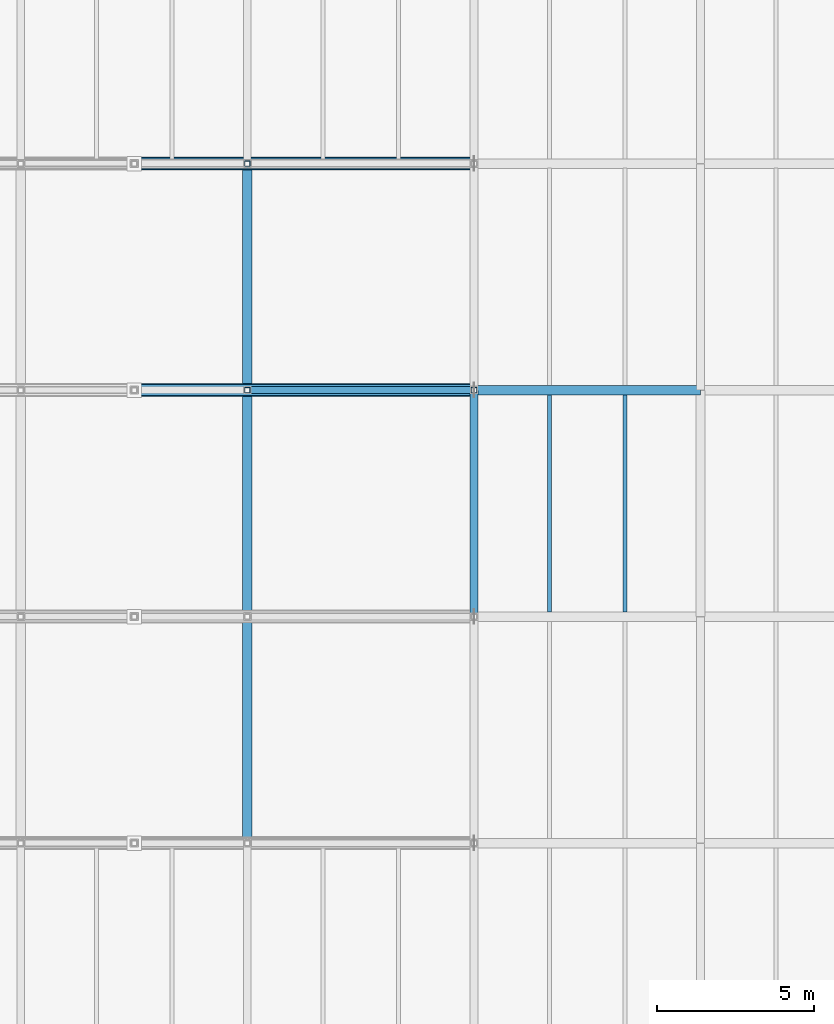
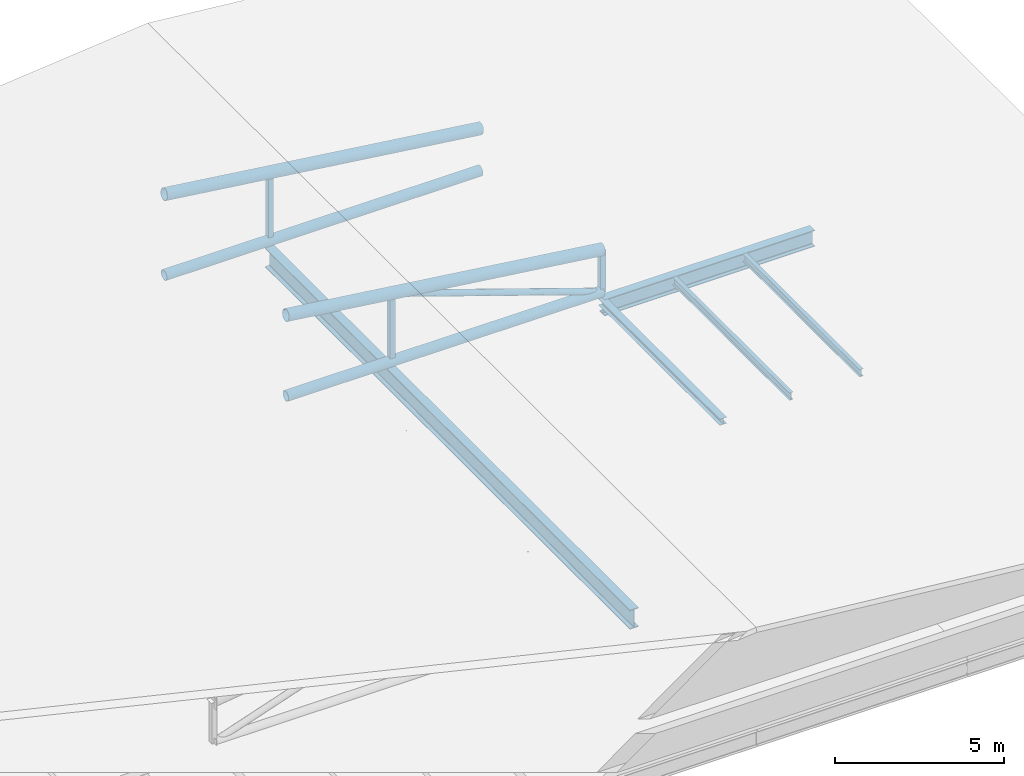
# One storey, part 34 of 91: 8 members, 5 beams.
"""IFC4 building model written with IfcOpenShell, lengths in metres."""

from ifc_helpers import new_model, si_unit, direction, frame, origin, origin_2d, place, context, subcontext, project, spatial, hollow_rectangle, hollow_circle, i_section, extrude, material, material_profile, profile_set, type_object, element, save


model = new_model("IFC4")

# Units and contexts
model_context = context("Model", 3, precision=1e-05, world=origin(), true_north=direction((0.0, 1.0)))
body_context = subcontext(model_context, "Body", "Model", "MODEL_VIEW")
ifc_project = project(units=[si_unit("LENGTHUNIT", "METRE"), si_unit("AREAUNIT", "SQUARE_METRE"), si_unit("VOLUMEUNIT", "CUBIC_METRE"), si_unit("PLANEANGLEUNIT", "RADIAN"), si_unit("MASSUNIT", "GRAM", prefix="KILO")], contexts=[model_context])

# Site, building, storey
site_placement = place(None, origin())
site = spatial("IfcSite", under=ifc_project, at=site_placement, CompositionType="ELEMENT")
building_placement = place(site_placement, origin())
building = spatial("IfcBuilding", under=site, at=building_placement, Name="Narikvali Park Central Library", CompositionType="ELEMENT")
storey_placement = place(building_placement, frame((0.0, 0.0, 14.39990234375)))
storey = spatial("IfcBuildingStorey", under=building, at=storey_placement, Name="L03", CompositionType="ELEMENT", Elevation=14.39990234375)

# Members
ifc_material = material(Name="Steel S355", Category="steel")
ifc_material_profile_1 = material_profile(ifc_material, hollow_circle(Radius=0.109619140625, WallThickness=0.012451171875, at=origin_2d()), Name="CHS 219.1x12.5")
ifc_profile_set_1 = profile_set([ifc_material_profile_1], Name="Steel S355")
member_type_1 = type_object("IfcMemberType", Name="Auditorium End Truss Web CHS219x12", PredefinedType="BRACE", material=ifc_profile_set_1)
member_1_placement = place(storey_placement, frame((151.199951171875, 100.800048828125, -0.02001953125), z_axis=(-0.946684072105, 0.0, 0.322163417573), x_axis=(0.0, -1.0, 0.0)))
element("IfcMember", 1, at=member_1_placement, inside=storey, type_object=member_type_1, Name="Auditorium Truss 3 Web Diagonal 3", PredefinedType="BRACE", context=body_context, shape_type="SweptSolid", body=[
    extrude(hollow_circle(Radius=0.109619140625, WallThickness=0.012451171875, at=origin_2d()), origin(), (0.0, 0.0, 1.0), 7.60546875),
])
ifc_material_profile_2 = material_profile(ifc_material, hollow_circle(Radius=0.203125, WallThickness=0.01611328125, at=origin_2d()), Name="CHS 406.4x16")
ifc_profile_set_2 = profile_set([ifc_material_profile_2], Name="Steel S355")
member_type_2 = type_object("IfcMemberType", Name="Auditorium Top Truss Chord CHS406", PredefinedType="CHORD", material=ifc_profile_set_2)
for number, where, z_axis, x_axis, name in (
    (2, (140.39990234375, 100.800048828125, 2.900146484375), (0.991700865878, 0.0, -0.128566685485), (0.0, 1.0, 0.0), "Auditorium Truss 3 Top Chord E"),
    (3, (140.39990234375, 108.0, 2.900146484375), (0.991700865878, 0.0, -0.128566685485), (0.0, 1.0, 0.0), "Auditorium Truss 4 Top Chord E"),
):
    element("IfcMember", number, at=place(storey_placement, frame(where, z_axis=z_axis, x_axis=x_axis)), inside=storey, type_object=member_type_2, Name=name, PredefinedType="CHORD", context=body_context, shape_type="SweptSolid", body=[
        extrude(hollow_circle(Radius=0.203125, WallThickness=0.01611328125, at=origin_2d()), origin(), (0.0, 0.0, 1.0), 10.890380859375),
    ])
ifc_material_profile_3 = material_profile(ifc_material, hollow_circle(Radius=0.177734375, WallThickness=0.01611328125, at=origin_2d()), Name="CHS 355.6x16")
ifc_profile_set_3 = profile_set([ifc_material_profile_3], Name="Steel S355")
member_type_3 = type_object("IfcMemberType", Name="Auditorium Truss Chord CHS355", PredefinedType="CHORD", material=ifc_profile_set_3)
for number, where, z_axis, x_axis, name in (
    (4, (140.39990234375, 100.800048828125, -0.02001953125), (1.0, 0.0, 0.0), (0.0, 1.0, 0.0), "Auditorium Truss 3 Bottom Chord E"),
    (5, (140.39990234375, 108.0, -0.02001953125), (1.0, 0.0, 0.0), (0.0, 1.0, 0.0), "Auditorium Truss 4 Bottom Chord E"),
):
    element("IfcMember", number, at=place(storey_placement, frame(where, z_axis=z_axis, x_axis=x_axis)), inside=storey, type_object=member_type_3, Name=name, PredefinedType="CHORD", context=body_context, shape_type="SweptSolid", body=[
        extrude(hollow_circle(Radius=0.177734375, WallThickness=0.01611328125, at=origin_2d()), origin(), (0.0, 0.0, 1.0), 10.800048828125),
    ])
ifc_material_profile_4 = material_profile(ifc_material, hollow_rectangle(XDim=0.179931640625, YDim=0.179931640625, WallThickness=0.010009765625, at=origin_2d()), Name="SHS 180x180x10")
ifc_profile_set_4 = profile_set([ifc_material_profile_4], Name="Steel S355")
member_type_4 = type_object("IfcMemberType", Name="Auditorium Truss Vertical SHS180", PredefinedType="COLLAR", material=ifc_profile_set_4)
member_2_placement = place(storey_placement, frame((144.0, 100.800048828125, -0.02001953125), z_axis=(0.0, 0.0, 1.0), x_axis=(1.0, 0.0, 0.0)))
element("IfcMember", 6, at=member_2_placement, inside=storey, type_object=member_type_4, Name="Auditorium Truss 3 Vertical 4", PredefinedType="COLLAR", context=body_context, shape_type="SweptSolid", body=[
    extrude(hollow_rectangle(XDim=0.179931640625, YDim=0.179931640625, WallThickness=0.010009765625, at=origin_2d()), origin(), (0.0, 0.0, 1.0), 2.4501953125),
])
member_3_placement = place(storey_placement, frame((151.199951171875, 100.800048828125, -0.02001953125), z_axis=(0.0, 0.0, 1.0), x_axis=(1.0, 0.0, 0.0)))
element("IfcMember", 7, at=member_3_placement, inside=storey, type_object=member_type_4, Name="Auditorium Truss 3 Vertical 5", PredefinedType="COLLAR", context=body_context, shape_type="SweptSolid", body=[
    extrude(hollow_rectangle(XDim=0.179931640625, YDim=0.179931640625, WallThickness=0.010009765625, at=origin_2d()), origin(), (0.0, 0.0, 1.0), 1.52001953125),
])
member_4_placement = place(storey_placement, frame((144.0, 108.0, -0.02001953125), z_axis=(0.0, 0.0, 1.0), x_axis=(1.0, 0.0, 0.0)))
element("IfcMember", 8, at=member_4_placement, inside=storey, type_object=member_type_4, Name="Auditorium Truss 4 Vertical 4", PredefinedType="COLLAR", context=body_context, shape_type="SweptSolid", body=[
    extrude(hollow_rectangle(XDim=0.179931640625, YDim=0.179931640625, WallThickness=0.010009765625, at=origin_2d()), origin(), (0.0, 0.0, 1.0), 2.4501953125),
])

# Beams
ifc_material_profile_5 = material_profile(ifc_material, i_section(OverallWidth=0.135009765625, OverallDepth=0.27001953125, WebThickness=0.006591796875, FlangeThickness=0.01025390625, FilletRadius=0.014892578125, at=origin_2d()), Name="IPE 270")
ifc_profile_set_5 = profile_set([ifc_material_profile_5], Name="Steel S355")
beam_type_1 = type_object("IfcBeamType", Name="Composite Floor Joist IPE270", PredefinedType="JOIST", material=ifc_profile_set_5)
for number, where, z_axis, x_axis, name in (
    (9, (153.60009765625, 93.75, -0.375), (0.0, 1.0, 0.0), (-1.0, 0.0, 0.0), "V3 L03 Composite Joist 1"),
    (10, (156.0, 93.75, -0.375), (0.0, 1.0, 0.0), (-1.0, 0.0, 0.0), "V3 L03 Composite Joist 2"),
):
    element("IfcBeam", number, at=place(storey_placement, frame(where, z_axis=z_axis, x_axis=x_axis)), inside=storey, type_object=beam_type_1, Name=name, PredefinedType="JOIST", context=body_context, shape_type="SweptSolid", body=[
        extrude(i_section(OverallWidth=0.135009765625, OverallDepth=0.27001953125, WebThickness=0.006591796875, FlangeThickness=0.01025390625, FilletRadius=0.014892578125, at=origin_2d()), origin(), (0.0, 0.0, 1.0), 6.89990234375),
    ])
ifc_material_profile_6 = material_profile(ifc_material, i_section(OverallWidth=0.300048828125, OverallDepth=0.699951171875, WebThickness=0.01708984375, FlangeThickness=0.031982421875, FilletRadius=0.027099609375, at=origin_2d()), Name="HEB 700")
ifc_profile_set_6 = profile_set([ifc_material_profile_6], Name="Steel S355")
beam_type_2 = type_object("IfcBeamType", Name="Long Span Girder HEB700", PredefinedType="BEAM", material=ifc_profile_set_6)
beam_1_placement = place(storey_placement, frame((144.0, 86.407958984375, -0.58984375), z_axis=(0.0, 1.0, 0.0), x_axis=(-1.0, 0.0, 0.0)))
element("IfcBeam", 11, at=beam_1_placement, inside=storey, type_object=beam_type_2, Name="V3 L03 Girder Y", PredefinedType="BEAM", context=body_context, shape_type="SweptSolid", body=[
    extrude(i_section(OverallWidth=0.300048828125, OverallDepth=0.699951171875, WebThickness=0.01708984375, FlangeThickness=0.031982421875, FilletRadius=0.027099609375, at=origin_2d()), origin(), (0.0, 0.0, 1.0), 21.583984375),
])
ifc_material_profile_7 = material_profile(ifc_material, i_section(OverallWidth=0.239990234375, OverallDepth=0.22998046875, WebThickness=0.007568359375, FlangeThickness=0.011962890625, FilletRadius=0.02099609375, at=origin_2d()), Name="HEA 240")
ifc_profile_set_7 = profile_set([ifc_material_profile_7], Name="Steel S355")
beam_type_3 = type_object("IfcBeamType", Name="Primary Girder HEA240", PredefinedType="BEAM", material=ifc_profile_set_7)
beam_2_placement = place(storey_placement, frame((151.199951171875, 93.60791015625, -0.35498046875), z_axis=(0.0, 1.0, 0.0), x_axis=(-1.0, 0.0, 0.0)))
element("IfcBeam", 12, at=beam_2_placement, inside=storey, type_object=beam_type_3, Name="V3 L03 Girder Y", PredefinedType="BEAM", context=body_context, shape_type="SweptSolid", body=[
    extrude(i_section(OverallWidth=0.239990234375, OverallDepth=0.22998046875, WebThickness=0.007568359375, FlangeThickness=0.011962890625, FilletRadius=0.02099609375, at=origin_2d()), origin(), (0.0, 0.0, 1.0), 7.18408203125),
])
ifc_material_profile_8 = material_profile(ifc_material, i_section(OverallWidth=0.300048828125, OverallDepth=0.590087890625, WebThickness=0.012939453125, FlangeThickness=0.02490234375, FilletRadius=0.027099609375, at=origin_2d()), Name="HEA 600")
ifc_profile_set_8 = profile_set([ifc_material_profile_8], Name="Steel S355")
beam_type_4 = type_object("IfcBeamType", Name="Primary Girder HEA600", PredefinedType="BEAM", material=ifc_profile_set_8)
beam_3_placement = place(storey_placement, frame((151.2080078125, 100.800048828125, -0.534912109375), z_axis=(1.0, 0.0, 0.0), x_axis=(0.0, 1.0, 0.0)))
element("IfcBeam", 13, at=beam_3_placement, inside=storey, type_object=beam_type_4, Name="V3 L03 Girder X", PredefinedType="BEAM", context=body_context, shape_type="SweptSolid", body=[
    extrude(i_section(OverallWidth=0.300048828125, OverallDepth=0.590087890625, WebThickness=0.012939453125, FlangeThickness=0.02490234375, FilletRadius=0.027099609375, at=origin_2d()), origin(), (0.0, 0.0, 1.0), 7.18408203125),
])

save(model, "model.ifc")
